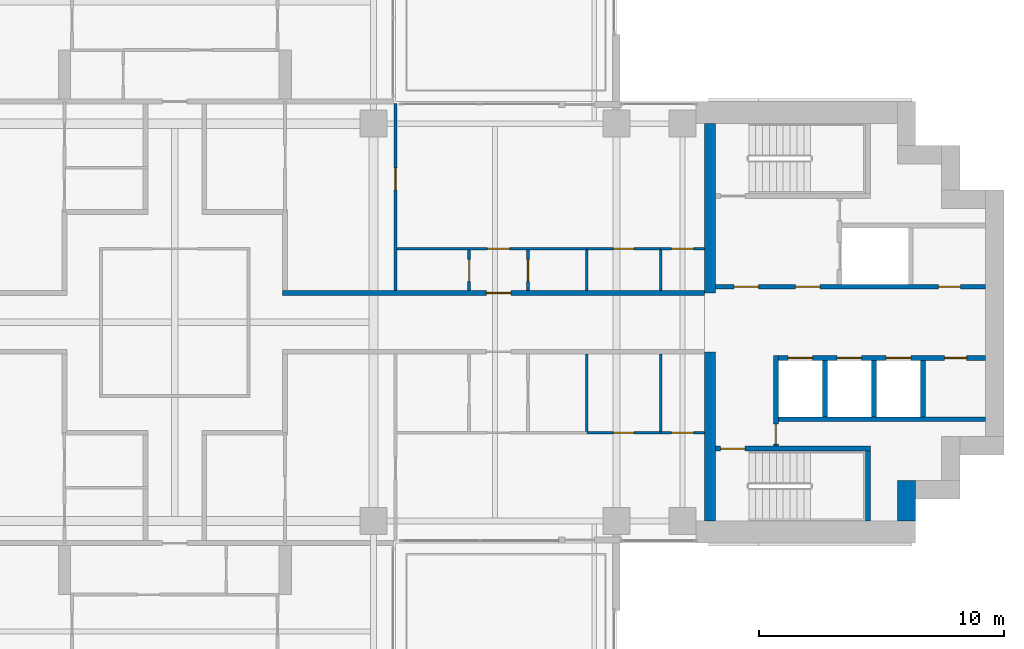
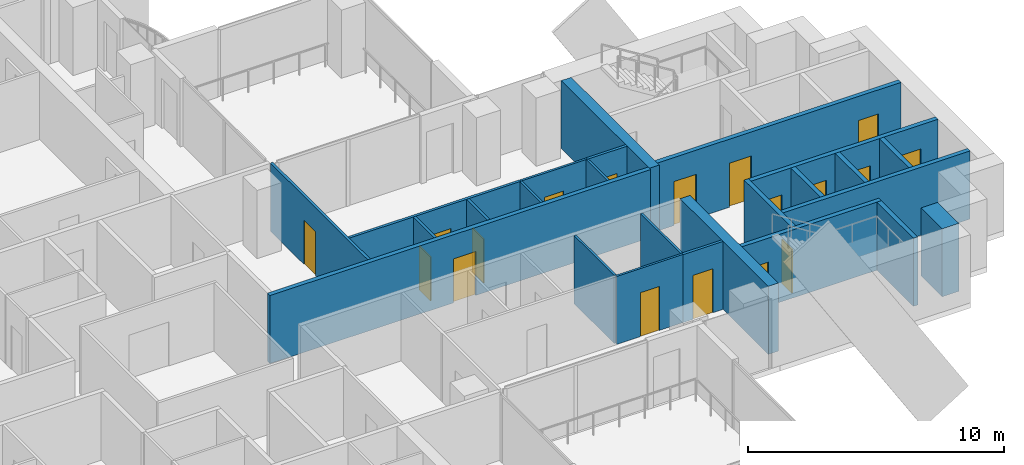
# One storey, part 12 of 19: 25 walls, 18 doors, 18 openings.
"""IFC4 building model written with IfcOpenShell, lengths in metres."""

from ifc_helpers import new_model, si_unit, direction, frame, frame_2d, origin, place, context, subcontext, project, spatial, rectangle, extrude, material, layer, layer_set, type_object, element, fill, save


model = new_model("IFC4")

# Units and contexts
model_context = context("Model", 3, precision=1e-05, world=origin(), true_north=direction((0.0, 1.0)))
body_context = subcontext(model_context, "Body", "Model", "MODEL_VIEW")
ifc_project = project(units=[si_unit("LENGTHUNIT", "METRE"), si_unit("AREAUNIT", "SQUARE_METRE"), si_unit("VOLUMEUNIT", "CUBIC_METRE"), si_unit("PLANEANGLEUNIT", "RADIAN"), si_unit("MASSUNIT", "GRAM", prefix="KILO")], contexts=[model_context])

# Site, building, storey
site_placement = place(None, origin())
site = spatial("IfcSite", under=ifc_project, at=site_placement, CompositionType="ELEMENT")
building_placement = place(site_placement, origin())
building = spatial("IfcBuilding", under=site, at=building_placement, Name="Perihelion Cross Residences", CompositionType="ELEMENT")
storey_placement = place(building_placement, frame((0.0, 0.0, 137.39990234375)))
storey = spatial("IfcBuildingStorey", under=building, at=storey_placement, Name="L33", CompositionType="ELEMENT", Elevation=137.39990234375)

# Wall, opening, door
ifc_material_1 = material(Name="Plasterboard partition")
ifc_layer_1 = layer(ifc_material_1, 0.199951171875)
ifc_layer_set_1 = layer_set([ifc_layer_1], Name="Apartment separation wall 200")
wall_type_1 = type_object("IfcWallType", Name="Apartment separation wall 200", PredefinedType="PARTITIONING", material=ifc_layer_set_1)
wall_1_placement = place(storey_placement, frame((4.39990234375, 1.199951171875, 0.0), z_axis=(0.0, 0.0, 1.0), x_axis=(1.0, 0.0, 0.0)))
wall_1 = element("IfcWall", 1, at=wall_1_placement, inside=storey, type_object=wall_type_1, Name="Partition L33 W005", PredefinedType="PARTITIONING", context=body_context, shape_type="SweptSolid", body=[
    extrude(rectangle(XDim=17.2001953125, YDim=0.199951171875, at=frame_2d((8.60009765625, 0.0))), origin(), (0.0, 0.0, 1.0), 3.25),
])
opening_1_placement = place(wall_1_placement, frame((8.300048828125, 0.0, 0.0)))
opening_1 = element("IfcOpeningElement", 2, at=opening_1_placement, cuts=wall_1, Name="Opening L33.A46", PredefinedType="OPENING", context=body_context, shape_type="SweptSolid", body=[
    extrude(rectangle(XDim=1.0, YDim=2.10009765625, at=frame_2d((0.5, 1.050048828125))), frame((0.0, 0.10986328125, 0.0), z_axis=(0.0, -1.0, 0.0), x_axis=(1.0, 0.0, 0.0)), (0.0, 0.0, 1.0), 0.219970703125),
])
ifc_material_2 = material(Name="Timber door leaf", Category="wood")
door_type_1 = type_object("IfcDoorType", Name="Flat entrance door 1000 x 2100", OperationType="SINGLE_SWING_LEFT", PredefinedType="DOOR", material=ifc_material_2)
door_1_placement = place(opening_1_placement, origin())
door_1 = element("IfcDoor", 3, at=door_1_placement, inside=storey, type_object=door_type_1, Name="Door L33.A46", OperationType="SINGLE_SWING_LEFT", OverallHeight=2.10009765625, OverallWidth=1.0, PredefinedType="DOOR", context=body_context, shape_type="SweptSolid", body=[
    extrude(rectangle(XDim=1.0, YDim=2.10009765625, at=frame_2d((0.5, 1.050048828125))), frame((0.0, 0.02490234375, 0.0), z_axis=(0.0, -1.0, 0.0), x_axis=(1.0, 0.0, 0.0)), (0.0, 0.0, 1.0), 0.050048828125),
])
fill(opening_1, door_1)

# Walls
ifc_material_3 = material(Name="Concrete C60/75", Category="concrete")
ifc_layer_2 = layer(ifc_material_3, 0.449951171875)
ifc_layer_set_2 = layer_set([ifc_layer_2], Name="Core wall, inner 450")
wall_type_2 = type_object("IfcWallType", Name="Core wall, inner 450", PredefinedType="SHEAR", material=ifc_layer_set_2)
for number, where, z_axis, x_axis, name in (
    (4, (21.824951171875, -8.10009765625, 0.0), (0.0, 0.0, 1.0), (0.0, 1.0, 0.0), "East core core wall, inner"),
    (5, (21.824951171875, 1.199951171875, 0.0), (0.0, 0.0, 1.0), (0.0, 1.0, 0.0), "East core core wall, inner"),
):
    element("IfcWall", number, at=place(storey_placement, frame(where, z_axis=z_axis, x_axis=x_axis)), inside=storey, type_object=wall_type_2, Name=name, PredefinedType="SHEAR", context=body_context, shape_type="SweptSolid", body=[
        extrude(rectangle(XDim=6.900146484375, YDim=0.449951171875, at=frame_2d((3.4501953125, 0.0))), origin(), (0.0, 0.0, 1.0), 3.25),
    ])
ifc_material_4 = material(Name="Concrete C60/75", Category="concrete")
ifc_layer_3 = layer(ifc_material_4, 0.75)
ifc_layer_set_3 = layer_set([ifc_layer_3], Name="Core wall, outer 750")
wall_type_3 = type_object("IfcWallType", Name="Core wall, outer 750", PredefinedType="SHEAR", material=ifc_layer_set_3)
wall_2_placement = place(storey_placement, frame((29.824951171875, -8.10009765625, 0.0), z_axis=(0.0, 0.0, 1.0), x_axis=(0.0, 1.0, 0.0)))
element("IfcWall", 6, at=wall_2_placement, inside=storey, type_object=wall_type_3, Name="East core core wall, outer", PredefinedType="SHEAR", context=body_context, shape_type="SweptSolid", body=[
    extrude(rectangle(XDim=1.650146484375, YDim=0.75, at=frame_2d((0.8251953125, 0.0))), origin(), (0.0, 0.0, 1.0), 3.25),
])

# Wall, opening, door
ifc_material_5 = material(Name="Concrete C50/60", Category="concrete")
ifc_layer_4 = layer(ifc_material_5, 0.199951171875)
ifc_layer_set_4 = layer_set([ifc_layer_4], Name="Lobby wall 200")
wall_type_4 = type_object("IfcWallType", Name="Lobby wall 200", PredefinedType="SOLIDWALL", material=ifc_layer_set_4)
wall_3_placement = place(storey_placement, frame((24.5, -5.050048828125, 0.0), z_axis=(0.0, 0.0, 1.0), x_axis=(0.0, 1.0, 0.0)))
wall_3 = element("IfcWall", 7, at=wall_3_placement, inside=storey, type_object=wall_type_4, Name="East core lobby wall", PredefinedType="SOLIDWALL", context=body_context, shape_type="SweptSolid", body=[
    extrude(rectangle(XDim=3.699951171875, YDim=0.199951171875, at=frame_2d((1.85009765625, 0.0))), origin(), (0.0, 0.0, 1.0), 3.25),
])
opening_2_placement = place(wall_3_placement, frame((0.10009765625, 0.0, 0.0)))
opening_2 = element("IfcOpeningElement", 8, at=opening_2_placement, cuts=wall_3, Name="Opening L33.C08", PredefinedType="OPENING", context=body_context, shape_type="SweptSolid", body=[
    extrude(rectangle(XDim=0.800048828125, YDim=2.10009765625, at=frame_2d((0.39990234375, 1.050048828125))), frame((0.0, 0.10986328125, 0.0), z_axis=(0.0, -1.0, 0.0), x_axis=(1.0, 0.0, 0.0)), (0.0, 0.0, 1.0), 0.219970703125),
])
ifc_material_6 = material(Name="Steel, powder coated", Category="steel")
door_type_2 = type_object("IfcDoorType", Name="Riser door 800", OperationType="SINGLE_SWING_LEFT", PredefinedType="DOOR", material=ifc_material_6)
door_2_placement = place(opening_2_placement, origin())
door_2 = element("IfcDoor", 9, at=door_2_placement, inside=storey, type_object=door_type_2, Name="East core riser door", OperationType="SINGLE_SWING_LEFT", OverallHeight=2.10009765625, OverallWidth=0.800048828125, PredefinedType="DOOR", context=body_context, shape_type="SweptSolid", body=[
    extrude(rectangle(XDim=0.800048828125, YDim=2.10009765625, at=frame_2d((0.39990234375, 1.050048828125))), frame((0.0, 0.02490234375, 0.0), z_axis=(0.0, -1.0, 0.0), x_axis=(1.0, 0.0, 0.0)), (0.0, 0.0, 1.0), 0.050048828125),
])
fill(opening_2, door_2)

ifc_material_7 = material(Name="Plasterboard partition")
ifc_layer_5 = layer(ifc_material_7, 0.1201171875)
ifc_layer_set_5 = layer_set([ifc_layer_5], Name="Partition wall 120")
wall_type_5 = type_object("IfcWallType", Name="Partition wall 120", PredefinedType="PARTITIONING", material=ifc_layer_set_5)
wall_4_placement = place(storey_placement, frame((12.0, 2.93994140625, 0.0), z_axis=(0.0, 0.0, 1.0), x_axis=(0.0, -1.0, 0.0)))
wall_4 = element("IfcWall", 10, at=wall_4_placement, inside=storey, type_object=wall_type_5, Name="Partition L33 W023", PredefinedType="PARTITIONING", context=body_context, shape_type="SweptSolid", body=[
    extrude(rectangle(XDim=1.639892578125, YDim=0.1201171875, at=frame_2d((0.81982421875, 0.0))), origin(), (0.0, 0.0, 1.0), 3.25),
])
opening_3_placement = place(wall_4_placement, frame((0.3701171875, 0.0, 0.0)))
opening_3 = element("IfcOpeningElement", 11, at=opening_3_placement, cuts=wall_4, Name="Opening L33.A04", PredefinedType="OPENING", context=body_context, shape_type="SweptSolid", body=[
    extrude(rectangle(XDim=0.89990234375, YDim=2.10009765625, at=frame_2d((0.449951171875, 1.050048828125))), frame((0.0, 0.070068359375, 0.0), z_axis=(0.0, -1.0, 0.0), x_axis=(1.0, 0.0, 0.0)), (0.0, 0.0, 1.0), 0.14013671875),
])
ifc_material_8 = material(Name="Timber door leaf", Category="wood")
door_type_3 = type_object("IfcDoorType", Name="Interior room door 900 x 2100", OperationType="SINGLE_SWING_LEFT", PredefinedType="DOOR", material=ifc_material_8)
door_3_placement = place(opening_3_placement, origin())
door_3 = element("IfcDoor", 12, at=door_3_placement, inside=storey, type_object=door_type_3, Name="Door L33.A04", OperationType="SINGLE_SWING_LEFT", OverallHeight=2.10009765625, OverallWidth=0.89990234375, PredefinedType="DOOR", context=body_context, shape_type="SweptSolid", body=[
    extrude(rectangle(XDim=0.89990234375, YDim=2.10009765625, at=frame_2d((0.449951171875, 1.050048828125))), frame((0.0, 0.02490234375, 0.0), z_axis=(0.0, -1.0, 0.0), x_axis=(1.0, 0.0, 0.0)), (0.0, 0.0, 1.0), 0.050048828125),
])
fill(opening_3, door_3)

wall_5_placement = place(storey_placement, frame((8.93994140625, 3.0, 0.0), z_axis=(0.0, 0.0, 1.0), x_axis=(1.0, 0.0, 0.0)))
wall_5 = element("IfcWall", 13, at=wall_5_placement, inside=storey, type_object=wall_type_5, Name="Partition L33 W024", PredefinedType="PARTITIONING", context=body_context, shape_type="SweptSolid", body=[
    extrude(rectangle(XDim=7.860107421875, YDim=0.1201171875, at=frame_2d((3.93017578125, 0.0))), origin(), (0.0, 0.0, 1.0), 3.25),
])
opening_4_placement = place(wall_5_placement, frame((3.81005859375, 0.0, 0.0)))
opening_4 = element("IfcOpeningElement", 14, at=opening_4_placement, cuts=wall_5, Name="Opening L33.A06", PredefinedType="OPENING", context=body_context, shape_type="SweptSolid", body=[
    extrude(rectangle(XDim=0.89990234375, YDim=2.10009765625, at=frame_2d((0.449951171875, 1.050048828125))), frame((0.0, 0.070068359375, 0.0), z_axis=(0.0, -1.0, 0.0), x_axis=(1.0, 0.0, 0.0)), (0.0, 0.0, 1.0), 0.14013671875),
])
door_4_placement = place(opening_4_placement, origin())
door_4 = element("IfcDoor", 15, at=door_4_placement, inside=storey, type_object=door_type_3, Name="Door L33.A06", OperationType="SINGLE_SWING_LEFT", OverallHeight=2.10009765625, OverallWidth=0.89990234375, PredefinedType="DOOR", context=body_context, shape_type="SweptSolid", body=[
    extrude(rectangle(XDim=0.89990234375, YDim=2.10009765625, at=frame_2d((0.449951171875, 1.050048828125))), frame((0.0, 0.02490234375, 0.0), z_axis=(0.0, -1.0, 0.0), x_axis=(1.0, 0.0, 0.0)), (0.0, 0.0, 1.0), 0.050048828125),
])
fill(opening_4, door_4)

wall_6_placement = place(storey_placement, frame((9.0, 1.300048828125, 0.0), z_axis=(0.0, 0.0, 1.0), x_axis=(0.0, 1.0, 0.0)))
wall_6 = element("IfcWall", 16, at=wall_6_placement, inside=storey, type_object=wall_type_5, Name="Partition L33 W025", PredefinedType="PARTITIONING", context=body_context, shape_type="SweptSolid", body=[
    extrude(rectangle(XDim=7.619873046875, YDim=0.1201171875, at=frame_2d((3.81005859375, 0.0))), origin(), (0.0, 0.0, 1.0), 3.25),
])
opening_5_placement = place(wall_6_placement, frame((4.10009765625, 0.0, 0.0)))
opening_5 = element("IfcOpeningElement", 17, at=opening_5_placement, cuts=wall_6, Name="Opening L33.A07", PredefinedType="OPENING", context=body_context, shape_type="SweptSolid", body=[
    extrude(rectangle(XDim=0.89990234375, YDim=2.10009765625, at=frame_2d((0.449951171875, 1.050048828125))), frame((0.0, 0.070068359375, 0.0), z_axis=(0.0, -1.0, 0.0), x_axis=(1.0, 0.0, 0.0)), (0.0, 0.0, 1.0), 0.14013671875),
])
door_5_placement = place(opening_5_placement, origin())
door_5 = element("IfcDoor", 18, at=door_5_placement, inside=storey, type_object=door_type_3, Name="Door L33.A07", OperationType="SINGLE_SWING_LEFT", OverallHeight=2.10009765625, OverallWidth=0.89990234375, PredefinedType="DOOR", context=body_context, shape_type="SweptSolid", body=[
    extrude(rectangle(XDim=0.89990234375, YDim=2.10009765625, at=frame_2d((0.449951171875, 1.050048828125))), frame((0.0, 0.02490234375, 0.0), z_axis=(0.0, -1.0, 0.0), x_axis=(1.0, 0.0, 0.0)), (0.0, 0.0, 1.0), 0.050048828125),
])
fill(opening_5, door_5)

wall_7_placement = place(storey_placement, frame((14.39990234375, 2.93994140625, 0.0), z_axis=(0.0, 0.0, 1.0), x_axis=(0.0, -1.0, 0.0)))
wall_7 = element("IfcWall", 19, at=wall_7_placement, inside=storey, type_object=wall_type_5, Name="Partition L33 W026", PredefinedType="PARTITIONING", context=body_context, shape_type="SweptSolid", body=[
    extrude(rectangle(XDim=1.639892578125, YDim=0.1201171875, at=frame_2d((0.81982421875, 0.0))), origin(), (0.0, 0.0, 1.0), 3.25),
])
opening_6_placement = place(wall_7_placement, frame((0.3701171875, 0.0, 0.0)))
opening_6 = element("IfcOpeningElement", 20, at=opening_6_placement, cuts=wall_7, Name="Opening L33.A08", PredefinedType="OPENING", context=body_context, shape_type="SweptSolid", body=[
    extrude(rectangle(XDim=0.89990234375, YDim=2.10009765625, at=frame_2d((0.449951171875, 1.050048828125))), frame((0.0, 0.070068359375, 0.0), z_axis=(0.0, -1.0, 0.0), x_axis=(1.0, 0.0, 0.0)), (0.0, 0.0, 1.0), 0.14013671875),
])
door_6_placement = place(opening_6_placement, origin())
door_6 = element("IfcDoor", 21, at=door_6_placement, inside=storey, type_object=door_type_3, Name="Door L33.A08", OperationType="SINGLE_SWING_RIGHT", OverallHeight=2.10009765625, OverallWidth=0.89990234375, PredefinedType="DOOR", context=body_context, shape_type="SweptSolid", body=[
    extrude(rectangle(XDim=0.89990234375, YDim=2.10009765625, at=frame_2d((0.449951171875, 1.050048828125))), frame((0.0, 0.02490234375, 0.0), z_axis=(0.0, -1.0, 0.0), x_axis=(1.0, 0.0, 0.0)), (0.0, 0.0, 1.0), 0.050048828125),
])
fill(opening_6, door_6)

wall_8_placement = place(storey_placement, frame((19.800048828125, 3.0, 0.0), z_axis=(0.0, 0.0, 1.0), x_axis=(1.0, 0.0, 0.0)))
wall_8 = element("IfcWall", 22, at=wall_8_placement, inside=storey, type_object=wall_type_5, Name="Partition L33 W030", PredefinedType="PARTITIONING", context=body_context, shape_type="SweptSolid", body=[
    extrude(rectangle(XDim=1.800048828125, YDim=0.1201171875, at=frame_2d((0.89990234375, 0.0))), origin(), (0.0, 0.0, 1.0), 3.25),
])
opening_7_placement = place(wall_8_placement, frame((0.449951171875, 0.0, 0.0)))
opening_7 = element("IfcOpeningElement", 23, at=opening_7_placement, cuts=wall_8, Name="Opening L33.A05", PredefinedType="OPENING", context=body_context, shape_type="SweptSolid", body=[
    extrude(rectangle(XDim=0.89990234375, YDim=2.10009765625, at=frame_2d((0.449951171875, 1.050048828125))), frame((0.0, 0.070068359375, 0.0), z_axis=(0.0, -1.0, 0.0), x_axis=(1.0, 0.0, 0.0)), (0.0, 0.0, 1.0), 0.14013671875),
])
door_7_placement = place(opening_7_placement, origin())
door_7 = element("IfcDoor", 24, at=door_7_placement, inside=storey, type_object=door_type_3, Name="Door L33.A05", OperationType="SINGLE_SWING_RIGHT", OverallHeight=2.10009765625, OverallWidth=0.89990234375, PredefinedType="DOOR", context=body_context, shape_type="SweptSolid", body=[
    extrude(rectangle(XDim=0.89990234375, YDim=2.10009765625, at=frame_2d((0.449951171875, 1.050048828125))), frame((0.0, 0.02490234375, 0.0), z_axis=(0.0, -1.0, 0.0), x_axis=(1.0, 0.0, 0.0)), (0.0, 0.0, 1.0), 0.050048828125),
])
fill(opening_7, door_7)

wall_9_placement = place(storey_placement, frame((21.60009765625, -4.5, 0.0), z_axis=(0.0, 0.0, 1.0), x_axis=(-1.0, 0.0, 0.0)))
wall_9 = element("IfcWall", 25, at=wall_9_placement, inside=storey, type_object=wall_type_5, Name="Partition L33 W039", PredefinedType="PARTITIONING", context=body_context, shape_type="SweptSolid", body=[
    extrude(rectangle(XDim=1.800048828125, YDim=0.1201171875, at=frame_2d((0.89990234375, 0.0))), origin(), (0.0, 0.0, 1.0), 3.25),
])
opening_8_placement = place(wall_9_placement, frame((0.449951171875, 0.0, 0.0)))
opening_8 = element("IfcOpeningElement", 26, at=opening_8_placement, cuts=wall_9, Name="Opening L33.A12", PredefinedType="OPENING", context=body_context, shape_type="SweptSolid", body=[
    extrude(rectangle(XDim=0.89990234375, YDim=2.10009765625, at=frame_2d((0.449951171875, 1.050048828125))), frame((0.0, 0.070068359375, 0.0), z_axis=(0.0, -1.0, 0.0), x_axis=(1.0, 0.0, 0.0)), (0.0, 0.0, 1.0), 0.14013671875),
])
door_8_placement = place(opening_8_placement, origin())
door_8 = element("IfcDoor", 27, at=door_8_placement, inside=storey, type_object=door_type_3, Name="Door L33.A12", OperationType="SINGLE_SWING_RIGHT", OverallHeight=2.10009765625, OverallWidth=0.89990234375, PredefinedType="DOOR", context=body_context, shape_type="SweptSolid", body=[
    extrude(rectangle(XDim=0.89990234375, YDim=2.10009765625, at=frame_2d((0.449951171875, 1.050048828125))), frame((0.0, 0.02490234375, 0.0), z_axis=(0.0, -1.0, 0.0), x_axis=(1.0, 0.0, 0.0)), (0.0, 0.0, 1.0), 0.050048828125),
])
fill(opening_8, door_8)

# Wall, openings, doors
ifc_material_9 = material(Name="Concrete C50/60", Category="concrete")
ifc_layer_6 = layer(ifc_material_9, 0.199951171875)
ifc_layer_set_6 = layer_set([ifc_layer_6], Name="Shaft wall 200")
wall_type_6 = type_object("IfcWallType", Name="Shaft wall 200", PredefinedType="SOLIDWALL", material=ifc_layer_set_6)
wall_10_placement = place(storey_placement, frame((22.050048828125, 1.449951171875, 0.0), z_axis=(0.0, 0.0, 1.0), x_axis=(1.0, 0.0, 0.0)))
wall_10 = element("IfcWall", 28, at=wall_10_placement, inside=storey, type_object=wall_type_6, Name="East core shaft wall", PredefinedType="SOLIDWALL", context=body_context, shape_type="SweptSolid", body=[
    extrude(rectangle(XDim=11.0, YDim=0.199951171875, at=frame_2d((5.5, 0.0))), origin(), (0.0, 0.0, 1.0), 3.25),
])
opening_9_placement = place(wall_10_placement, frame((0.75, 0.0, 0.0)))
opening_9 = element("IfcOpeningElement", 29, at=opening_9_placement, cuts=wall_10, Name="Opening L33.C07", PredefinedType="OPENING", context=body_context, shape_type="SweptSolid", body=[
    extrude(rectangle(XDim=1.0, YDim=2.10009765625, at=frame_2d((0.5, 1.050048828125))), frame((0.0, 0.10986328125, 0.0), z_axis=(0.0, -1.0, 0.0), x_axis=(1.0, 0.0, 0.0)), (0.0, 0.0, 1.0), 0.219970703125),
])
opening_10_placement = place(wall_10_placement, frame((3.25, 0.0, 0.0)))
opening_10 = element("IfcOpeningElement", 30, at=opening_10_placement, cuts=wall_10, Name="Opening L33.C09", PredefinedType="OPENING", context=body_context, shape_type="SweptSolid", body=[
    extrude(rectangle(XDim=1.0, YDim=2.10009765625, at=frame_2d((0.5, 1.050048828125))), frame((0.0, 0.10986328125, 0.0), z_axis=(0.0, -1.0, 0.0), x_axis=(1.0, 0.0, 0.0)), (0.0, 0.0, 1.0), 0.219970703125),
])
opening_11_placement = place(wall_10_placement, frame((9.074951171875, 0.0, 0.0)))
opening_11 = element("IfcOpeningElement", 31, at=opening_11_placement, cuts=wall_10, Name="Opening L33.C11", PredefinedType="OPENING", context=body_context, shape_type="SweptSolid", body=[
    extrude(rectangle(XDim=0.89990234375, YDim=2.10009765625, at=frame_2d((0.449951171875, 1.050048828125))), frame((0.0, 0.10986328125, 0.0), z_axis=(0.0, -1.0, 0.0), x_axis=(1.0, 0.0, 0.0)), (0.0, 0.0, 1.0), 0.219970703125),
])
ifc_material_10 = material(Name="Steel, powder coated", Category="steel")
door_type_4 = type_object("IfcDoorType", Name="Lobby door 1000", OperationType="SINGLE_SWING_LEFT", PredefinedType="DOOR", material=ifc_material_10)
door_9_placement = place(opening_9_placement, origin())
door_9 = element("IfcDoor", 32, at=door_9_placement, inside=storey, type_object=door_type_4, Name="East core firefighting lobby door", OperationType="SINGLE_SWING_LEFT", OverallHeight=2.10009765625, OverallWidth=1.0, PredefinedType="DOOR", context=body_context, shape_type="SweptSolid", body=[
    extrude(rectangle(XDim=1.0, YDim=2.10009765625, at=frame_2d((0.5, 1.050048828125))), frame((0.0, 0.02490234375, 0.0), z_axis=(0.0, -1.0, 0.0), x_axis=(1.0, 0.0, 0.0)), (0.0, 0.0, 1.0), 0.050048828125),
])
fill(opening_9, door_9)
door_10_placement = place(opening_10_placement, origin())
door_10 = element("IfcDoor", 33, at=door_10_placement, inside=storey, type_object=door_type_4, Name="East core firefighting lobby door", OperationType="SINGLE_SWING_LEFT", OverallHeight=2.10009765625, OverallWidth=1.0, PredefinedType="DOOR", context=body_context, shape_type="SweptSolid", body=[
    extrude(rectangle(XDim=1.0, YDim=2.10009765625, at=frame_2d((0.5, 1.050048828125))), frame((0.0, 0.02490234375, 0.0), z_axis=(0.0, -1.0, 0.0), x_axis=(1.0, 0.0, 0.0)), (0.0, 0.0, 1.0), 0.050048828125),
])
fill(opening_10, door_10)
ifc_material_11 = material(Name="Steel, powder coated", Category="steel")
door_type_5 = type_object("IfcDoorType", Name="Service room door 900", OperationType="SINGLE_SWING_LEFT", PredefinedType="DOOR", material=ifc_material_11)
door_11_placement = place(opening_11_placement, origin())
door_11 = element("IfcDoor", 34, at=door_11_placement, inside=storey, type_object=door_type_5, Name="East core service room door", OperationType="SINGLE_SWING_LEFT", OverallHeight=2.10009765625, OverallWidth=0.89990234375, PredefinedType="DOOR", context=body_context, shape_type="SweptSolid", body=[
    extrude(rectangle(XDim=0.89990234375, YDim=2.10009765625, at=frame_2d((0.449951171875, 1.050048828125))), frame((0.0, 0.02490234375, 0.0), z_axis=(0.0, -1.0, 0.0), x_axis=(1.0, 0.0, 0.0)), (0.0, 0.0, 1.0), 0.050048828125),
])
fill(opening_11, door_11)

wall_11_placement = place(storey_placement, frame((24.60009765625, -1.449951171875, 0.0), z_axis=(0.0, 0.0, 1.0), x_axis=(1.0, 0.0, 0.0)))
wall_11 = element("IfcWall", 35, at=wall_11_placement, inside=storey, type_object=wall_type_6, Name="East core shaft wall", PredefinedType="SOLIDWALL", context=body_context, shape_type="SweptSolid", body=[
    extrude(rectangle(XDim=8.449951171875, YDim=0.199951171875, at=frame_2d((4.22509765625, 0.0))), origin(), (0.0, 0.0, 1.0), 3.25),
])
opening_12_placement = place(wall_11_placement, frame((0.39990234375, 0.0, 0.0)))
opening_12 = element("IfcOpeningElement", 36, at=opening_12_placement, cuts=wall_11, Name="Opening L33.C01", PredefinedType="OPENING", context=body_context, shape_type="SweptSolid", body=[
    extrude(rectangle(XDim=1.0, YDim=2.10009765625, at=frame_2d((0.5, 1.050048828125))), frame((0.0, 0.10986328125, 0.0), z_axis=(0.0, -1.0, 0.0), x_axis=(1.0, 0.0, 0.0)), (0.0, 0.0, 1.0), 0.219970703125),
])
opening_13_placement = place(wall_11_placement, frame((2.39990234375, 0.0, 0.0)))
opening_13 = element("IfcOpeningElement", 37, at=opening_13_placement, cuts=wall_11, Name="Opening L33.C03", PredefinedType="OPENING", context=body_context, shape_type="SweptSolid", body=[
    extrude(rectangle(XDim=1.0, YDim=2.10009765625, at=frame_2d((0.5, 1.050048828125))), frame((0.0, 0.10986328125, 0.0), z_axis=(0.0, -1.0, 0.0), x_axis=(1.0, 0.0, 0.0)), (0.0, 0.0, 1.0), 0.219970703125),
])
opening_14_placement = place(wall_11_placement, frame((4.39990234375, 0.0, 0.0)))
opening_14 = element("IfcOpeningElement", 38, at=opening_14_placement, cuts=wall_11, Name="Opening L33.C04", PredefinedType="OPENING", context=body_context, shape_type="SweptSolid", body=[
    extrude(rectangle(XDim=1.0, YDim=2.10009765625, at=frame_2d((0.5, 1.050048828125))), frame((0.0, 0.10986328125, 0.0), z_axis=(0.0, -1.0, 0.0), x_axis=(1.0, 0.0, 0.0)), (0.0, 0.0, 1.0), 0.219970703125),
])
opening_15_placement = place(wall_11_placement, frame((6.77490234375, 0.0, 0.0)))
opening_15 = element("IfcOpeningElement", 39, at=opening_15_placement, cuts=wall_11, Name="Opening L33.C12", PredefinedType="OPENING", context=body_context, shape_type="SweptSolid", body=[
    extrude(rectangle(XDim=0.89990234375, YDim=2.10009765625, at=frame_2d((0.449951171875, 1.050048828125))), frame((0.0, 0.10986328125, 0.0), z_axis=(0.0, -1.0, 0.0), x_axis=(1.0, 0.0, 0.0)), (0.0, 0.0, 1.0), 0.219970703125),
])
ifc_material_12 = material(Name="Stainless steel", Category="steel")
door_type_6 = type_object("IfcDoorType", Name="Landing door 1000", OperationType="DOUBLE_DOOR_SLIDING", PredefinedType="DOOR", material=ifc_material_12)
door_12_placement = place(opening_12_placement, origin())
door_12 = element("IfcDoor", 40, at=door_12_placement, inside=storey, type_object=door_type_6, Name="Landing door, East core high-rise lift 1", OperationType="DOUBLE_DOOR_SLIDING", OverallHeight=2.10009765625, OverallWidth=1.0, PredefinedType="DOOR", context=body_context, shape_type="SweptSolid", body=[
    extrude(rectangle(XDim=1.0, YDim=2.10009765625, at=frame_2d((0.5, 1.050048828125))), frame((0.0, 0.02490234375, 0.0), z_axis=(0.0, -1.0, 0.0), x_axis=(1.0, 0.0, 0.0)), (0.0, 0.0, 1.0), 0.050048828125),
])
fill(opening_12, door_12)
door_13_placement = place(opening_13_placement, origin())
door_13 = element("IfcDoor", 41, at=door_13_placement, inside=storey, type_object=door_type_6, Name="Landing door, East core high-rise lift 2", OperationType="DOUBLE_DOOR_SLIDING", OverallHeight=2.10009765625, OverallWidth=1.0, PredefinedType="DOOR", context=body_context, shape_type="SweptSolid", body=[
    extrude(rectangle(XDim=1.0, YDim=2.10009765625, at=frame_2d((0.5, 1.050048828125))), frame((0.0, 0.02490234375, 0.0), z_axis=(0.0, -1.0, 0.0), x_axis=(1.0, 0.0, 0.0)), (0.0, 0.0, 1.0), 0.050048828125),
])
fill(opening_13, door_13)
door_14_placement = place(opening_14_placement, origin())
door_14 = element("IfcDoor", 42, at=door_14_placement, inside=storey, type_object=door_type_6, Name="Landing door, East core high-rise lift 3", OperationType="DOUBLE_DOOR_SLIDING", OverallHeight=2.10009765625, OverallWidth=1.0, PredefinedType="DOOR", context=body_context, shape_type="SweptSolid", body=[
    extrude(rectangle(XDim=1.0, YDim=2.10009765625, at=frame_2d((0.5, 1.050048828125))), frame((0.0, 0.02490234375, 0.0), z_axis=(0.0, -1.0, 0.0), x_axis=(1.0, 0.0, 0.0)), (0.0, 0.0, 1.0), 0.050048828125),
])
fill(opening_14, door_14)
door_15_placement = place(opening_15_placement, origin())
door_15 = element("IfcDoor", 43, at=door_15_placement, inside=storey, type_object=door_type_5, Name="East core service room door", OperationType="SINGLE_SWING_LEFT", OverallHeight=2.10009765625, OverallWidth=0.89990234375, PredefinedType="DOOR", context=body_context, shape_type="SweptSolid", body=[
    extrude(rectangle(XDim=0.89990234375, YDim=2.10009765625, at=frame_2d((0.449951171875, 1.050048828125))), frame((0.0, 0.02490234375, 0.0), z_axis=(0.0, -1.0, 0.0), x_axis=(1.0, 0.0, 0.0)), (0.0, 0.0, 1.0), 0.050048828125),
])
fill(opening_15, door_15)

# Walls
wall_12_placement = place(storey_placement, frame((24.60009765625, -3.949951171875, 0.0), z_axis=(0.0, 0.0, 1.0), x_axis=(1.0, 0.0, 0.0)))
element("IfcWall", 44, at=wall_12_placement, inside=storey, type_object=wall_type_6, Name="East core shaft wall", PredefinedType="SOLIDWALL", context=body_context, shape_type="SweptSolid", body=[
    extrude(rectangle(XDim=8.449951171875, YDim=0.199951171875, at=frame_2d((4.22509765625, 0.0))), origin(), (0.0, 0.0, 1.0), 3.25),
])
for number, where, z_axis, x_axis, name in (
    (45, (26.5, -3.85009765625, 0.0), (0.0, 0.0, 1.0), (0.0, 1.0, 0.0), "East core shaft wall"),
    (46, (28.5, -3.85009765625, 0.0), (0.0, 0.0, 1.0), (0.0, 1.0, 0.0), "East core shaft wall"),
    (47, (30.5, -3.85009765625, 0.0), (0.0, 0.0, 1.0), (0.0, 1.0, 0.0), "East core shaft wall"),
):
    element("IfcWall", number, at=place(storey_placement, frame(where, z_axis=z_axis, x_axis=x_axis)), inside=storey, type_object=wall_type_6, Name=name, PredefinedType="SOLIDWALL", context=body_context, shape_type="SweptSolid", body=[
        extrude(rectangle(XDim=2.300048828125, YDim=0.199951171875, at=frame_2d((1.14990234375, 0.0))), origin(), (0.0, 0.0, 1.0), 3.25),
    ])

# Wall, opening, door
ifc_material_13 = material(Name="Concrete C50/60", Category="concrete")
ifc_layer_7 = layer(ifc_material_13, 0.199951171875)
ifc_layer_set_7 = layer_set([ifc_layer_7], Name="Stair wall 200")
wall_type_7 = type_object("IfcWallType", Name="Stair wall 200", PredefinedType="SOLIDWALL", material=ifc_layer_set_7)
wall_13_placement = place(storey_placement, frame((22.050048828125, -5.14990234375, 0.0), z_axis=(0.0, 0.0, 1.0), x_axis=(1.0, 0.0, 0.0)))
wall_13 = element("IfcWall", 48, at=wall_13_placement, inside=storey, type_object=wall_type_7, Name="East core stair wall", PredefinedType="SOLIDWALL", context=body_context, shape_type="SweptSolid", body=[
    extrude(rectangle(XDim=6.300048828125, YDim=0.199951171875, at=frame_2d((3.14990234375, 0.0))), origin(), (0.0, 0.0, 1.0), 3.25),
])
opening_16_placement = place(wall_13_placement, frame((0.199951171875, 0.0, 0.0)))
opening_16 = element("IfcOpeningElement", 49, at=opening_16_placement, cuts=wall_13, Name="Opening L33.C05", PredefinedType="OPENING", context=body_context, shape_type="SweptSolid", body=[
    extrude(rectangle(XDim=1.0, YDim=2.10009765625, at=frame_2d((0.5, 1.050048828125))), frame((0.0, 0.10986328125, 0.0), z_axis=(0.0, -1.0, 0.0), x_axis=(1.0, 0.0, 0.0)), (0.0, 0.0, 1.0), 0.219970703125),
])
ifc_material_14 = material(Name="Steel, powder coated", Category="steel")
door_type_7 = type_object("IfcDoorType", Name="Stair door 1000", OperationType="SINGLE_SWING_LEFT", PredefinedType="DOOR", material=ifc_material_14)
door_16_placement = place(opening_16_placement, origin())
door_16 = element("IfcDoor", 50, at=door_16_placement, inside=storey, type_object=door_type_7, Name="East core stair door", OperationType="SINGLE_SWING_LEFT", OverallHeight=2.10009765625, OverallWidth=1.0, PredefinedType="DOOR", context=body_context, shape_type="SweptSolid", body=[
    extrude(rectangle(XDim=1.0, YDim=2.10009765625, at=frame_2d((0.5, 1.050048828125))), frame((0.0, 0.02490234375, 0.0), z_axis=(0.0, -1.0, 0.0), x_axis=(1.0, 0.0, 0.0)), (0.0, 0.0, 1.0), 0.050048828125),
])
fill(opening_16, door_16)

# Walls
wall_14_placement = place(storey_placement, frame((28.25, -8.10009765625, 0.0), z_axis=(0.0, 0.0, 1.0), x_axis=(0.0, 1.0, 0.0)))
element("IfcWall", 51, at=wall_14_placement, inside=storey, type_object=wall_type_7, Name="East core stair wall", PredefinedType="SOLIDWALL", context=body_context, shape_type="SweptSolid", body=[
    extrude(rectangle(XDim=2.85009765625, YDim=0.199951171875, at=frame_2d((1.425048828125, 0.0))), origin(), (0.0, 0.0, 1.0), 3.25),
])
ifc_material_15 = material(Name="Plasterboard partition")
ifc_layer_8 = layer(ifc_material_15, 0.10009765625)
ifc_layer_set_8 = layer_set([ifc_layer_8], Name="Wet room wall 100")
wall_type_8 = type_object("IfcWallType", Name="Wet room wall 100", PredefinedType="PARTITIONING", material=ifc_layer_set_8)
for number, where, z_axis, x_axis, name in (
    (52, (16.800048828125, 2.93994140625, 0.0), (0.0, 0.0, 1.0), (0.0, -1.0, 0.0), "Partition L33 W027"),
    (53, (19.800048828125, 2.93994140625, 0.0), (0.0, 0.0, 1.0), (0.0, -1.0, 0.0), "Partition L33 W028"),
):
    element("IfcWall", number, at=place(storey_placement, frame(where, z_axis=z_axis, x_axis=x_axis)), inside=storey, type_object=wall_type_8, Name=name, PredefinedType="PARTITIONING", context=body_context, shape_type="SweptSolid", body=[
        extrude(rectangle(XDim=1.639892578125, YDim=0.10009765625, at=frame_2d((0.81982421875, 0.0))), origin(), (0.0, 0.0, 1.0), 3.25),
    ])

# Wall, opening, door
wall_15_placement = place(storey_placement, frame((16.800048828125, 3.0, 0.0), z_axis=(0.0, 0.0, 1.0), x_axis=(1.0, 0.0, 0.0)))
wall_15 = element("IfcWall", 54, at=wall_15_placement, inside=storey, type_object=wall_type_8, Name="Partition L33 W029", PredefinedType="PARTITIONING", context=body_context, shape_type="SweptSolid", body=[
    extrude(rectangle(XDim=3.0, YDim=0.10009765625, at=frame_2d((1.5, 0.0))), origin(), (0.0, 0.0, 1.0), 3.25),
])
opening_17_placement = place(wall_15_placement, frame((1.074951171875, 0.0, 0.0)))
opening_17 = element("IfcOpeningElement", 55, at=opening_17_placement, cuts=wall_15, Name="Opening L33.A02", PredefinedType="OPENING", context=body_context, shape_type="SweptSolid", body=[
    extrude(rectangle(XDim=0.85009765625, YDim=2.10009765625, at=frame_2d((0.425048828125, 1.050048828125))), frame((0.0, 0.06005859375, 0.0), z_axis=(0.0, -1.0, 0.0), x_axis=(1.0, 0.0, 0.0)), (0.0, 0.0, 1.0), 0.1201171875),
])
ifc_material_16 = material(Name="Timber door leaf", Category="wood")
door_type_8 = type_object("IfcDoorType", Name="Interior bathroom door 850 x 2100", OperationType="SINGLE_SWING_LEFT", PredefinedType="DOOR", material=ifc_material_16)
door_17_placement = place(opening_17_placement, origin())
door_17 = element("IfcDoor", 56, at=door_17_placement, inside=storey, type_object=door_type_8, Name="Door L33.A02", OperationType="SINGLE_SWING_LEFT", OverallHeight=2.10009765625, OverallWidth=0.85009765625, PredefinedType="DOOR", context=body_context, shape_type="SweptSolid", body=[
    extrude(rectangle(XDim=0.85009765625, YDim=2.10009765625, at=frame_2d((0.425048828125, 1.050048828125))), frame((0.0, 0.02490234375, 0.0), z_axis=(0.0, -1.0, 0.0), x_axis=(1.0, 0.0, 0.0)), (0.0, 0.0, 1.0), 0.050048828125),
])
fill(opening_17, door_17)

# Walls
for number, where, z_axis, x_axis, name in (
    (57, (16.800048828125, -1.300048828125, 0.0), (0.0, 0.0, 1.0), (0.0, -1.0, 0.0), "Partition L33 W036"),
    (58, (19.800048828125, -1.300048828125, 0.0), (0.0, 0.0, 1.0), (0.0, -1.0, 0.0), "Partition L33 W037"),
):
    element("IfcWall", number, at=place(storey_placement, frame(where, z_axis=z_axis, x_axis=x_axis)), inside=storey, type_object=wall_type_8, Name=name, PredefinedType="PARTITIONING", context=body_context, shape_type="SweptSolid", body=[
        extrude(rectangle(XDim=3.139892578125, YDim=0.10009765625, at=frame_2d((1.56982421875, 0.0))), origin(), (0.0, 0.0, 1.0), 3.25),
    ])

# Wall, opening, door
wall_16_placement = place(storey_placement, frame((19.800048828125, -4.5, 0.0), z_axis=(0.0, 0.0, 1.0), x_axis=(-1.0, 0.0, 0.0)))
wall_16 = element("IfcWall", 59, at=wall_16_placement, inside=storey, type_object=wall_type_8, Name="Partition L33 W038", PredefinedType="PARTITIONING", context=body_context, shape_type="SweptSolid", body=[
    extrude(rectangle(XDim=3.0, YDim=0.10009765625, at=frame_2d((1.5, 0.0))), origin(), (0.0, 0.0, 1.0), 3.25),
])
opening_18_placement = place(wall_16_placement, frame((1.074951171875, 0.0, 0.0)))
opening_18 = element("IfcOpeningElement", 60, at=opening_18_placement, cuts=wall_16, Name="Opening L33.A09", PredefinedType="OPENING", context=body_context, shape_type="SweptSolid", body=[
    extrude(rectangle(XDim=0.85009765625, YDim=2.10009765625, at=frame_2d((0.425048828125, 1.050048828125))), frame((0.0, 0.06005859375, 0.0), z_axis=(0.0, -1.0, 0.0), x_axis=(1.0, 0.0, 0.0)), (0.0, 0.0, 1.0), 0.1201171875),
])
door_18_placement = place(opening_18_placement, origin())
door_18 = element("IfcDoor", 61, at=door_18_placement, inside=storey, type_object=door_type_8, Name="Door L33.A09", OperationType="SINGLE_SWING_LEFT", OverallHeight=2.10009765625, OverallWidth=0.85009765625, PredefinedType="DOOR", context=body_context, shape_type="SweptSolid", body=[
    extrude(rectangle(XDim=0.85009765625, YDim=2.10009765625, at=frame_2d((0.425048828125, 1.050048828125))), frame((0.0, 0.02490234375, 0.0), z_axis=(0.0, -1.0, 0.0), x_axis=(1.0, 0.0, 0.0)), (0.0, 0.0, 1.0), 0.050048828125),
])
fill(opening_18, door_18)

save(model, "model.ifc")
